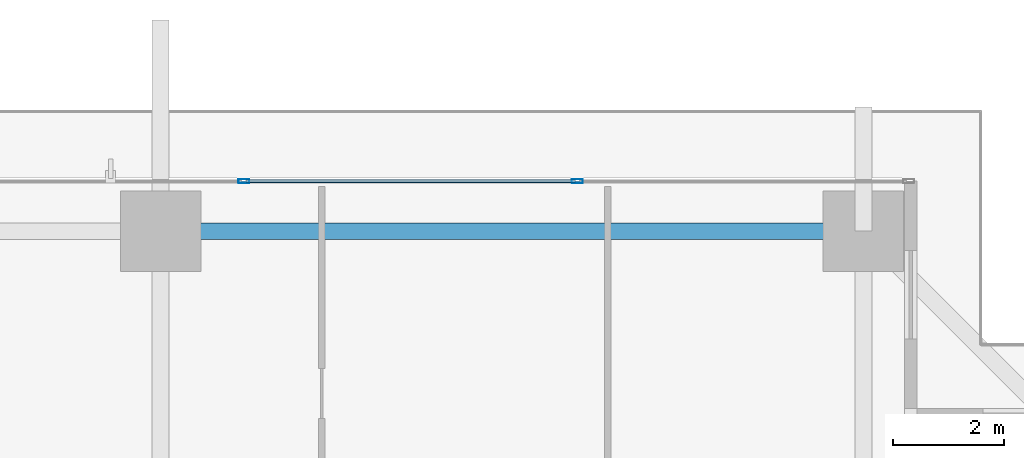
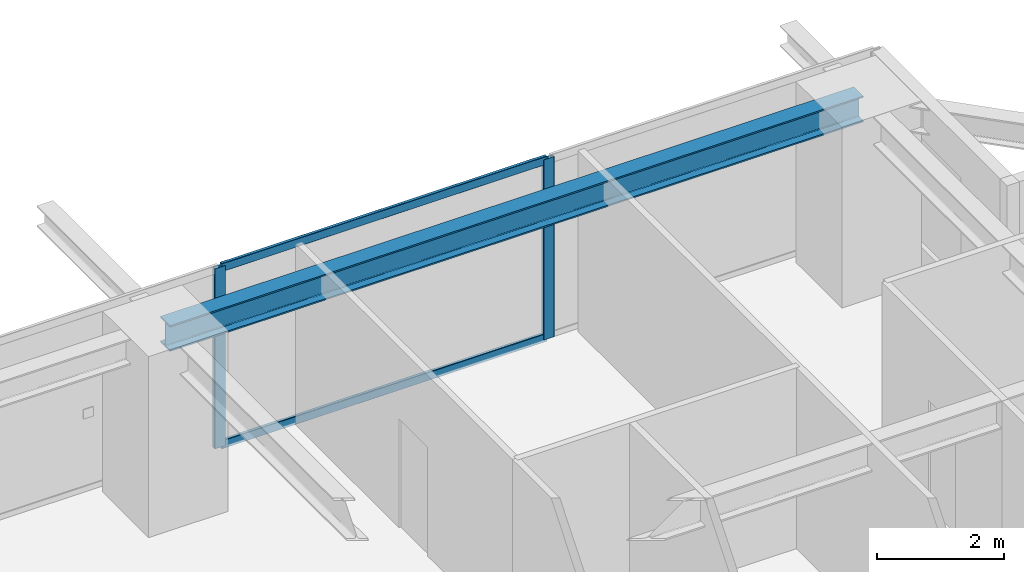
# One storey, part 24 of 39: 4 members, 1 beam, 1 element without a shape of its own.
"""IFC4 building model written with IfcOpenShell, lengths in metres."""

from ifc_helpers import new_model, si_unit, direction, frame, origin, origin_2d, place, context, subcontext, project, spatial, hollow_rectangle, i_section, extrude, source, transform, mapped, material, layer, layer_set, material_profile, profile_set, type_object, element, aggregate, save


model = new_model("IFC4")

# Units and contexts
model_context = context("Model", 3, precision=1e-05, world=origin(), true_north=direction((0.0, 1.0)))
body_context = subcontext(model_context, "Body", "Model", "MODEL_VIEW")
ifc_project = project(units=[si_unit("LENGTHUNIT", "METRE"), si_unit("AREAUNIT", "SQUARE_METRE"), si_unit("VOLUMEUNIT", "CUBIC_METRE"), si_unit("PLANEANGLEUNIT", "RADIAN"), si_unit("MASSUNIT", "GRAM", prefix="KILO")], contexts=[model_context])

# Site, building, storey
site_placement = place(None, origin())
site = spatial("IfcSite", under=ifc_project, at=site_placement, CompositionType="ELEMENT")
building_placement = place(site_placement, origin())
building = spatial("IfcBuilding", under=site, at=building_placement, Name="Serunith Strait Residences", CompositionType="ELEMENT")
storey_placement = place(building_placement, frame((0.0, 0.0, 64.199951171875)))
storey = spatial("IfcBuildingStorey", under=building, at=storey_placement, Name="L15", CompositionType="ELEMENT", Elevation=64.199951171875)

# Beam
ifc_material_1 = material(Name="Steel S355J2", Category="steel")
ifc_material_profile_1 = material_profile(ifc_material_1, i_section(OverallWidth=0.300048828125, OverallDepth=0.5, WebThickness=0.014404296875, FlangeThickness=0.028076171875, FilletRadius=0.027099609375, at=origin_2d()), Name="HEB 500")
ifc_profile_set_1 = profile_set([ifc_material_profile_1], Name="Steel S355J2")
beam_type = type_object("IfcBeamType", Name="BM-HEB500", PredefinedType="BEAM", material=ifc_profile_set_1)
shared_shape_1 = source(origin(), body_context, "Body", "SweptSolid", [
    extrude(i_section(OverallWidth=0.300048828125, OverallDepth=0.5, WebThickness=0.014404296875, FlangeThickness=0.028076171875, FilletRadius=0.027099609375, at=origin_2d()), origin(), (0.0, 0.0, 1.0), 12.650146484375),
])
beam_placement = place(storey_placement, frame((49.550048828125, 49.300048828125, 3.237060546875), z_axis=(-1.0, 0.0, 0.0), x_axis=(0.0, -1.0, 0.0)))
element("IfcBeam", 1, at=beam_placement, inside=storey, type_object=beam_type, Name="L15 Perimeter Ring Beam 09", PredefinedType="BEAM", context=body_context, shape_type="MappedRepresentation", body=[
    mapped(shared_shape_1, transform((0.0, 0.0, 0.0), scale=1.0)),
])

# Curtain wall, members
ifc_material_2 = material(Name="Pale-Champagne Anodised Aluminium", Category="aluminium")
ifc_layer = layer(ifc_material_2, 0.199951171875, Name="Pale-Champagne Anodised Aluminium")
ifc_layer_set = layer_set([ifc_layer], Name="Pale-Champagne Anodised Aluminium")
curtain_wall_type = type_object("IfcCurtainWallType", Name="CW-SYS1", PredefinedType="NOTDEFINED", material=ifc_layer_set)
curtain_wall_placement = place(storey_placement, origin())
curtain_wall = element("IfcCurtainWall", 2, at=curtain_wall_placement, inside=storey, type_object=curtain_wall_type, Name="L15 N Unitised Fritted Curtain Wall", PredefinedType="NOTDEFINED")
ifc_material_profile_2 = material_profile(ifc_material_2, hollow_rectangle(XDim=0.070068359375, YDim=0.199951171875, WallThickness=0.00390625, InnerFilletRadius=0.006103515625, OuterFilletRadius=0.010009765625, at=origin_2d()), Name="ALU 200x70x4")
ifc_profile_set_2 = profile_set([ifc_material_profile_2], Name="Pale-Champagne Anodised Aluminium")
member_type_1 = type_object("IfcMemberType", Name="CW-SYS1-MULL", PredefinedType="MULLION", material=ifc_profile_set_2)
shared_shape_2 = source(origin(), body_context, "Body", "SweptSolid", [
    extrude(hollow_rectangle(XDim=0.070068359375, YDim=0.199951171875, WallThickness=0.00390625, InnerFilletRadius=0.006103515625, OuterFilletRadius=0.010009765625, at=origin_2d()), origin(), (0.0, 0.0, 1.0), 3.47509765625),
])
member_1_placement = place(storey_placement, frame((44.39990234375, 50.199951171875, 0.0), z_axis=(0.0, 0.0, 1.0), x_axis=(0.0, -1.0, 0.0)))
member_1 = element("IfcMember", 3, at=member_1_placement, type_object=member_type_1, Name="CW-1 mullion 2", PredefinedType="MULLION", context=body_context, shape_type="MappedRepresentation", body=[
    mapped(shared_shape_2, transform((0.0, 0.0, 0.0), scale=1.0)),
])
member_2_placement = place(storey_placement, frame((38.39990234375, 50.199951171875, 0.0), z_axis=(0.0, 0.0, 1.0), x_axis=(0.0, -1.0, 0.0)))
member_2 = element("IfcMember", 4, at=member_2_placement, type_object=member_type_1, Name="CW-1 mullion 3", PredefinedType="MULLION", context=body_context, shape_type="MappedRepresentation", body=[
    mapped(shared_shape_2, transform((0.0, 0.0, 0.0), scale=1.0)),
])
ifc_material_profile_3 = material_profile(ifc_material_2, hollow_rectangle(XDim=0.06005859375, YDim=0.159912109375, WallThickness=0.00341796875, InnerFilletRadius=0.00537109375, OuterFilletRadius=0.0087890625, at=origin_2d()), Name="ALU 160x60x3.5")
ifc_profile_set_3 = profile_set([ifc_material_profile_3], Name="Pale-Champagne Anodised Aluminium")
member_type_2 = type_object("IfcMemberType", Name="CW-SYS1-TRAN", PredefinedType="USERDEFINED", material=ifc_profile_set_3)
shared_shape_3 = source(origin(), body_context, "Body", "SweptSolid", [
    extrude(hollow_rectangle(XDim=0.06005859375, YDim=0.159912109375, WallThickness=0.00341796875, InnerFilletRadius=0.00537109375, OuterFilletRadius=0.0087890625, at=origin_2d()), origin(), (0.0, 0.0, 1.0), 5.929931640625),
])
member_3_placement = place(storey_placement, frame((44.364990234375, 50.199951171875, 0.030029296875), z_axis=(-1.0, 0.0, 0.0), x_axis=(0.0, -1.0, 0.0)))
member_3 = element("IfcMember", 5, at=member_3_placement, type_object=member_type_2, Name="CW-1 transom 2.1", ObjectType="TRANSOM", PredefinedType="USERDEFINED", context=body_context, shape_type="MappedRepresentation", body=[
    mapped(shared_shape_3, transform((0.0, 0.0, 0.0), scale=1.0)),
])
member_4_placement = place(storey_placement, frame((44.364990234375, 50.199951171875, 3.445068359375), z_axis=(-1.0, 0.0, 0.0), x_axis=(0.0, -1.0, 0.0)))
member_4 = element("IfcMember", 6, at=member_4_placement, type_object=member_type_2, Name="CW-1 transom 2.2", ObjectType="TRANSOM", PredefinedType="USERDEFINED", context=body_context, shape_type="MappedRepresentation", body=[
    mapped(shared_shape_3, transform((0.0, 0.0, 0.0), scale=1.0)),
])
aggregate(curtain_wall, [member_1, member_2, member_3, member_4])

save(model, "model.ifc")
